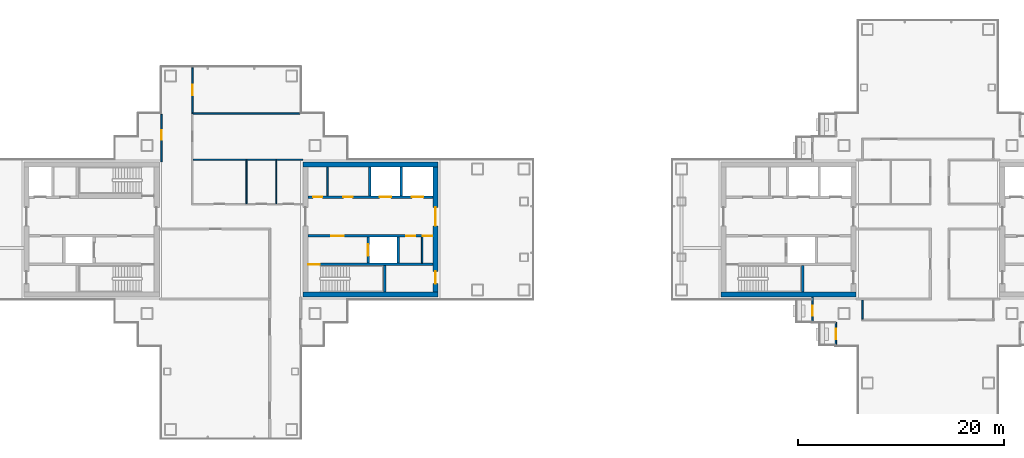
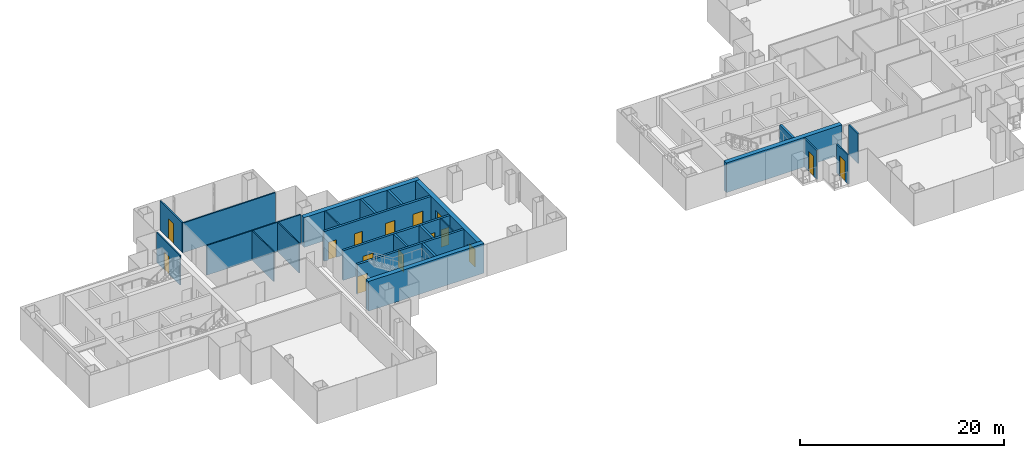
# One storey, part 10 of 16: 24 walls, 15 doors, 15 openings.
"""IFC4 building model written with IfcOpenShell, lengths in metres."""

from ifc_helpers import new_model, si_unit, direction, frame, frame_2d, origin, place, context, subcontext, project, spatial, rectangle, extrude, material, layer, layer_set, type_object, element, fill, save


model = new_model("IFC4")

# Units and contexts
model_context = context("Model", 3, precision=1e-05, world=origin(), true_north=direction((0.0, 1.0)))
body_context = subcontext(model_context, "Body", "Model", "MODEL_VIEW")
ifc_project = project(units=[si_unit("LENGTHUNIT", "METRE"), si_unit("AREAUNIT", "SQUARE_METRE"), si_unit("VOLUMEUNIT", "CUBIC_METRE"), si_unit("PLANEANGLEUNIT", "RADIAN"), si_unit("MASSUNIT", "GRAM", prefix="KILO")], contexts=[model_context])

# Site, building, storey
site_placement = place(None, origin())
site = spatial("IfcSite", under=ifc_project, at=site_placement, CompositionType="ELEMENT")
building_placement = place(site_placement, origin())
building = spatial("IfcBuilding", under=site, at=building_placement, Name="Shamsa Quay Exchange Towers", CompositionType="ELEMENT")
storey_placement = place(building_placement, frame((0.0, 0.0, 138.89990234375)))
storey = spatial("IfcBuildingStorey", under=building, at=storey_placement, Name="L32", CompositionType="ELEMENT", Elevation=138.89990234375)

# Wall, opening, door
ifc_material_1 = material(Name="Aluminium EN AW-6063 T6, black anodised, with black enamelled glass infill", Category="aluminium")
ifc_layer_1 = layer(ifc_material_1, 0.14990234375)
ifc_layer_set_1 = layer_set([ifc_layer_1], Name="BALCONY DOOR BAY WALL 150")
wall_type_1 = type_object("IfcWallType", Name="BALCONY DOOR BAY WALL 150", PredefinedType="SOLIDWALL", material=ifc_layer_set_1)
wall_1_placement = place(storey_placement, frame((22.574951171875, -9.0, 0.0), z_axis=(0.0, 0.0, 1.0), x_axis=(0.0, 1.0, 0.0)))
wall_1 = element("IfcWall", 1, at=wall_1_placement, inside=storey, type_object=wall_type_1, Name="Door bay T2-PKWN L32", PredefinedType="SOLIDWALL", context=body_context, shape_type="SweptSolid", body=[
    extrude(rectangle(XDim=2.45703125, YDim=0.14990234375, at=frame_2d((1.228515625, 0.0))), origin(), (0.0, 0.0, 1.0), 3.4501953125),
])
opening_1_placement = place(wall_1_placement, frame((0.625, 0.0, 0.0)))
opening_1 = element("IfcOpeningElement", 2, at=opening_1_placement, cuts=wall_1, Name="Opening XD205", PredefinedType="OPENING", context=body_context, shape_type="SweptSolid", body=[
    extrude(rectangle(XDim=1.0, YDim=2.39990234375, at=frame_2d((0.5, 1.199951171875))), frame((0.0, 0.0849609375, 0.0), z_axis=(0.0, -1.0, 0.0), x_axis=(1.0, 0.0, 0.0)), (0.0, 0.0, 1.0), 0.169921875),
])
ifc_material_2 = material(Name="Aluminium EN AW-6063 T6, black anodised, with laminated glass leaf", Category="aluminium")
door_type_1 = type_object("IfcDoorType", Name="BALCONY DOOR 1000x2400", OperationType="SINGLE_SWING_LEFT", PredefinedType="DOOR", material=ifc_material_2)
door_1_placement = place(opening_1_placement, origin())
door_1 = element("IfcDoor", 3, at=door_1_placement, inside=storey, type_object=door_type_1, Name="Balcony door T2-PKWN L32", OperationType="SINGLE_SWING_LEFT", OverallHeight=2.39990234375, OverallWidth=1.0, PredefinedType="DOOR", context=body_context, shape_type="SweptSolid", body=[
    extrude(rectangle(XDim=1.0, YDim=2.39990234375, at=frame_2d((0.5, 1.199951171875))), frame((0.0, 0.02490234375, 0.0), z_axis=(0.0, -1.0, 0.0), x_axis=(1.0, 0.0, 0.0)), (0.0, 0.0, 1.0), 0.050048828125),
])
fill(opening_1, door_1)

wall_2_placement = place(storey_placement, frame((24.824951171875, -11.25, 0.0), z_axis=(0.0, 0.0, 1.0), x_axis=(0.0, 1.0, 0.0)))
wall_2 = element("IfcWall", 4, at=wall_2_placement, inside=storey, type_object=wall_type_1, Name="Door bay T2-PKWN L32", PredefinedType="SOLIDWALL", context=body_context, shape_type="SweptSolid", body=[
    extrude(rectangle(XDim=2.25, YDim=0.14990234375, at=frame_2d((1.125, 0.0))), origin(), (0.0, 0.0, 1.0), 3.4501953125),
])
opening_2_placement = place(wall_2_placement, frame((0.625, 0.0, 0.0)))
opening_2 = element("IfcOpeningElement", 5, at=opening_2_placement, cuts=wall_2, Name="Opening XD206", PredefinedType="OPENING", context=body_context, shape_type="SweptSolid", body=[
    extrude(rectangle(XDim=1.0, YDim=2.39990234375, at=frame_2d((0.5, 1.199951171875))), frame((0.0, 0.0849609375, 0.0), z_axis=(0.0, -1.0, 0.0), x_axis=(1.0, 0.0, 0.0)), (0.0, 0.0, 1.0), 0.169921875),
])
door_2_placement = place(opening_2_placement, origin())
door_2 = element("IfcDoor", 6, at=door_2_placement, inside=storey, type_object=door_type_1, Name="Balcony door T2-PKWN L32", OperationType="SINGLE_SWING_RIGHT", OverallHeight=2.39990234375, OverallWidth=1.0, PredefinedType="DOOR", context=body_context, shape_type="SweptSolid", body=[
    extrude(rectangle(XDim=1.0, YDim=2.39990234375, at=frame_2d((0.5, 1.199951171875))), frame((0.0, 0.02490234375, 0.0), z_axis=(0.0, -1.0, 0.0), x_axis=(1.0, 0.0, 0.0)), (0.0, 0.0, 1.0), 0.050048828125),
])
fill(opening_2, door_2)

# Walls
ifc_material_3 = material(Name="Concrete C60/75", Category="concrete")
ifc_layer_2 = layer(ifc_material_3, 0.5)
ifc_layer_set_2 = layer_set([ifc_layer_2], Name="CORE WALL 500 C60/75")
wall_type_2 = type_object("IfcWallType", Name="CORE WALL 500 C60/75", PredefinedType="SHEAR", material=ifc_layer_set_2)
for number, where, name in (
    (7, (-26.800048828125, -6.300048828125, 0.0), "Core wall T1A-R14-PS"),
    (8, (-26.800048828125, 6.300048828125, 0.0), "Core wall T1A-R14-PN"),
):
    element("IfcWall", number, at=place(storey_placement, frame(where)), inside=storey, type_object=wall_type_2, Name=name, PredefinedType="SHEAR", context=body_context, shape_type="SweptSolid", body=[
        extrude(rectangle(XDim=13.10009765625, YDim=0.5, at=frame_2d((6.550048828125, 0.0))), origin(), (0.0, 0.0, 1.0), 3.550048828125),
    ])

# Wall, openings, doors
wall_3_placement = place(storey_placement, frame((-13.949951171875, 6.050048828125, 0.0), z_axis=(0.0, 0.0, 1.0), x_axis=(0.0, -1.0, 0.0)))
wall_3 = element("IfcWall", 9, at=wall_3_placement, inside=storey, type_object=wall_type_2, Name="Core wall T1A-R14-PB", PredefinedType="SHEAR", context=body_context, shape_type="SweptSolid", body=[
    extrude(rectangle(XDim=12.10009765625, YDim=0.5, at=frame_2d((6.050048828125, 0.0))), origin(), (0.0, 0.0, 1.0), 3.550048828125),
])
opening_3_placement = place(wall_3_placement, frame((10.10009765625, 0.0, 0.0)))
opening_3 = element("IfcOpeningElement", 10, at=opening_3_placement, cuts=wall_3, Name="Opening T1A-R14-RD02", PredefinedType="OPENING", context=body_context, shape_type="SweptSolid", body=[
    extrude(rectangle(XDim=1.199951171875, YDim=2.10009765625, at=frame_2d((0.60009765625, 1.050048828125))), frame((0.0, 0.260009765625, 0.0), z_axis=(0.0, -1.0, 0.0), x_axis=(1.0, 0.0, 0.0)), (0.0, 0.0, 1.0), 0.52001953125),
])
opening_4_placement = place(wall_3_placement, frame((3.89990234375, 0.0, 0.0)))
opening_4 = element("IfcOpeningElement", 11, at=opening_4_placement, cuts=wall_3, Name="Opening T1A-R14-LBD03", PredefinedType="OPENING", context=body_context, shape_type="SweptSolid", body=[
    extrude(rectangle(XDim=1.800048828125, YDim=2.39990234375, at=frame_2d((0.89990234375, 1.199951171875))), frame((0.0, 0.260009765625, 0.0), z_axis=(0.0, -1.0, 0.0), x_axis=(1.0, 0.0, 0.0)), (0.0, 0.0, 1.0), 0.52001953125),
])
ifc_material_4 = material(Name="Steel, fire rated", Category="steel")
door_type_2 = type_object("IfcDoorType", Name="LIFT LOBBY DOOR PAIR 1800", OperationType="DOUBLE_DOOR_SINGLE_SWING", PredefinedType="DOOR", material=ifc_material_4)
door_3_placement = place(opening_4_placement, origin())
door_3 = element("IfcDoor", 12, at=door_3_placement, inside=storey, type_object=door_type_2, Name="T1A-R14-LBD03", OperationType="DOUBLE_DOOR_SINGLE_SWING", OverallHeight=2.39990234375, OverallWidth=1.800048828125, PredefinedType="DOOR", context=body_context, shape_type="SweptSolid", body=[
    extrude(rectangle(XDim=1.800048828125, YDim=2.39990234375, at=frame_2d((0.89990234375, 1.199951171875))), frame((0.0, 0.02490234375, 0.0), z_axis=(0.0, -1.0, 0.0), x_axis=(1.0, 0.0, 0.0)), (0.0, 0.0, 1.0), 0.050048828125),
])
fill(opening_4, door_3)
door_type_3 = type_object("IfcDoorType", Name="RISER ACCESS DOOR 1200", OperationType="SINGLE_SWING_LEFT", PredefinedType="DOOR", material=ifc_material_4)
door_4_placement = place(opening_3_placement, origin())
door_4 = element("IfcDoor", 13, at=door_4_placement, inside=storey, type_object=door_type_3, Name="T1A-R14-RD02", OperationType="SINGLE_SWING_RIGHT", OverallHeight=2.10009765625, OverallWidth=1.199951171875, PredefinedType="DOOR", context=body_context, shape_type="SweptSolid", body=[
    extrude(rectangle(XDim=1.199951171875, YDim=2.10009765625, at=frame_2d((0.60009765625, 1.050048828125))), frame((0.0, 0.02490234375, 0.0), z_axis=(0.0, -1.0, 0.0), x_axis=(1.0, 0.0, 0.0)), (0.0, 0.0, 1.0), 0.050048828125),
])
fill(opening_3, door_4)

# Walls
wall_4_placement = place(storey_placement, frame((13.699951171875, -6.300048828125, 0.0)))
element("IfcWall", 14, at=wall_4_placement, inside=storey, type_object=wall_type_2, Name="Core wall T2A-R14-PS", PredefinedType="SHEAR", context=body_context, shape_type="SweptSolid", body=[
    extrude(rectangle(XDim=13.10009765625, YDim=0.5, at=frame_2d((6.550048828125, 0.0))), origin(), (0.0, 0.0, 1.0), 3.550048828125),
])
ifc_material_5 = material(Name="Gypsum board on steel studs, EI 60", Category="steel")
ifc_layer_3 = layer(ifc_material_5, 0.14990234375)
ifc_layer_set_3 = layer_set([ifc_layer_3], Name="FIRE PARTITION 150")
wall_type_3 = type_object("IfcWallType", Name="FIRE PARTITION 150", PredefinedType="PARTITIONING", material=ifc_layer_set_3)
wall_5_placement = place(storey_placement, frame((-15.25, -3.25, 0.0), z_axis=(0.0, 0.0, 1.0), x_axis=(0.0, 1.0, 0.0)))
element("IfcWall", 15, at=wall_5_placement, inside=storey, type_object=wall_type_3, Name="Partition T1A-R14-EC0", PredefinedType="PARTITIONING", context=body_context, shape_type="SweptSolid", body=[
    extrude(rectangle(XDim=2.5, YDim=0.14990234375, at=frame_2d((1.25, 0.0))), origin(), (0.0, 0.0, 1.0), 3.550048828125),
])
wall_6_placement = place(storey_placement, frame((-24.39990234375, 3.25, 0.0), z_axis=(0.0, 0.0, 1.0), x_axis=(0.0, 1.0, 0.0)))
element("IfcWall", 16, at=wall_6_placement, inside=storey, type_object=wall_type_3, Name="Partition T1A-R14-FC0", PredefinedType="PARTITIONING", context=body_context, shape_type="SweptSolid", body=[
    extrude(rectangle(XDim=2.800048828125, YDim=0.14990234375, at=frame_2d((1.39990234375, 0.0))), origin(), (0.0, 0.0, 1.0), 3.550048828125),
])
ifc_material_6 = material(Name="Laminated fire-resisting glass in a metal frame", Category="glass")
ifc_layer_4 = layer(ifc_material_6, 0.125)
ifc_layer_set_4 = layer_set([ifc_layer_4], Name="Glazed partition 125 mm EI 60")
wall_type_4 = type_object("IfcWallType", Name="Glazed partition 125 mm EI 60", PredefinedType="PARTITIONING", material=ifc_layer_set_4)
wall_7_placement = place(storey_placement, frame((-37.4375, 6.75, 0.0)))
element("IfcWall", 17, at=wall_7_placement, inside=storey, type_object=wall_type_4, Name="Partition T1-R14-W11", PredefinedType="PARTITIONING", context=body_context, shape_type="SweptSolid", body=[
    extrude(rectangle(XDim=10.637451171875, YDim=0.125, at=frame_2d((5.31884765625, 0.0))), origin(), (0.0, 0.0, 1.0), 3.550048828125),
])
wall_8_placement = place(storey_placement, frame((-32.25, 2.5126953125, 0.0), z_axis=(0.0, 0.0, 1.0), x_axis=(0.0, 1.0, 0.0)))
element("IfcWall", 18, at=wall_8_placement, inside=storey, type_object=wall_type_4, Name="Partition T1-R14-W12", PredefinedType="PARTITIONING", context=body_context, shape_type="SweptSolid", body=[
    extrude(rectangle(XDim=4.1748046875, YDim=0.125, at=frame_2d((2.08740234375, 0.0))), origin(), (0.0, 0.0, 1.0), 3.550048828125),
])
ifc_material_7 = material(Name="Gypsum board partition on metal studs")
ifc_layer_5 = layer(ifc_material_7, 0.10009765625)
ifc_layer_set_5 = layer_set([ifc_layer_5], Name="Partition 100 mm NOT RATED")
wall_type_5 = type_object("IfcWallType", Name="Partition 100 mm NOT RATED", PredefinedType="PARTITIONING", material=ifc_layer_set_5)
wall_9_placement = place(storey_placement, frame((-29.375, 2.500244140625, 0.0), z_axis=(0.0, 0.0, 1.0), x_axis=(0.0, 1.0, 0.0)))
element("IfcWall", 19, at=wall_9_placement, inside=storey, type_object=wall_type_5, Name="Partition T1-R14-W13", PredefinedType="PARTITIONING", context=body_context, shape_type="SweptSolid", body=[
    extrude(rectangle(XDim=4.187255859375, YDim=0.10009765625, at=frame_2d((2.09375, 0.0))), origin(), (0.0, 0.0, 1.0), 3.550048828125),
])

# Wall, opening, door
ifc_layer_6 = layer(ifc_material_7, 0.14990234375)
ifc_layer_set_6 = layer_set([ifc_layer_6], Name="Partition 150 mm EI 60")
wall_type_6 = type_object("IfcWallType", Name="Partition 150 mm EI 60", PredefinedType="PARTITIONING", material=ifc_layer_set_6)
wall_10_placement = place(storey_placement, frame((-37.5, 15.655029296875, 0.0), z_axis=(0.0, 0.0, 1.0), x_axis=(0.0, -1.0, 0.0)))
wall_10 = element("IfcWall", 20, at=wall_10_placement, inside=storey, type_object=wall_type_6, Name="Partition T1-R14-W02", PredefinedType="PARTITIONING", context=body_context, shape_type="SweptSolid", body=[
    extrude(rectangle(XDim=4.330078125, YDim=0.14990234375, at=frame_2d((2.1650390625, 0.0))), origin(), (0.0, 0.0, 1.0), 3.550048828125),
])
opening_5_placement = place(wall_10_placement, frame((1.655029296875, 0.0, 0.0)))
opening_5 = element("IfcOpeningElement", 21, at=opening_5_placement, cuts=wall_10, Name="Opening T1-R14-D04", PredefinedType="OPENING", context=body_context, shape_type="SweptSolid", body=[
    extrude(rectangle(XDim=1.0, YDim=2.39990234375, at=frame_2d((0.5, 1.199951171875))), frame((0.0, 0.0849609375, 0.0), z_axis=(0.0, -1.0, 0.0), x_axis=(1.0, 0.0, 0.0)), (0.0, 0.0, 1.0), 0.169921875),
])
ifc_material_8 = material(Name="Timber door leaf in a metal frame", Category="wood")
door_type_4 = type_object("IfcDoorType", Name="Door 1000x2400 FD30S", OperationType="NOTDEFINED", PredefinedType="DOOR", material=ifc_material_8)
door_5_placement = place(opening_5_placement, origin())
door_5 = element("IfcDoor", 22, at=door_5_placement, inside=storey, type_object=door_type_4, Name="Door T1-R14-D04", OperationType="SINGLE_SWING_RIGHT", OverallHeight=2.39990234375, OverallWidth=1.0, PredefinedType="DOOR", context=body_context, shape_type="SweptSolid", body=[
    extrude(rectangle(XDim=1.0, YDim=2.39990234375, at=frame_2d((0.5, 1.199951171875))), frame((0.0, 0.02490234375, 0.0), z_axis=(0.0, -1.0, 0.0), x_axis=(1.0, 0.0, 0.0)), (0.0, 0.0, 1.0), 0.050048828125),
])
fill(opening_5, door_5)

wall_11_placement = place(storey_placement, frame((-40.5, 6.550048828125, 0.0), z_axis=(0.0, 0.0, 1.0), x_axis=(0.0, 1.0, 0.0)))
wall_11 = element("IfcWall", 23, at=wall_11_placement, inside=storey, type_object=wall_type_6, Name="Partition T1-R14-W09", PredefinedType="PARTITIONING", context=body_context, shape_type="SweptSolid", body=[
    extrude(rectangle(XDim=4.60498046875, YDim=0.14990234375, at=frame_2d((2.302490234375, 0.0))), origin(), (0.0, 0.0, 1.0), 3.550048828125),
])
opening_6_placement = place(wall_11_placement, frame((2.14990234375, 0.0, 0.0)))
opening_6 = element("IfcOpeningElement", 24, at=opening_6_placement, cuts=wall_11, Name="Opening T1-R14-D01", PredefinedType="OPENING", context=body_context, shape_type="SweptSolid", body=[
    extrude(rectangle(XDim=0.89990234375, YDim=2.10009765625, at=frame_2d((0.449951171875, 1.050048828125))), frame((0.0, 0.0849609375, 0.0), z_axis=(0.0, -1.0, 0.0), x_axis=(1.0, 0.0, 0.0)), (0.0, 0.0, 1.0), 0.169921875),
])
door_type_5 = type_object("IfcDoorType", Name="Door 900x2100 FD30S", OperationType="NOTDEFINED", PredefinedType="DOOR", material=ifc_material_8)
door_6_placement = place(opening_6_placement, origin())
door_6 = element("IfcDoor", 25, at=door_6_placement, inside=storey, type_object=door_type_5, Name="Door T1-R14-D01", OperationType="SINGLE_SWING_RIGHT", OverallHeight=2.10009765625, OverallWidth=0.89990234375, PredefinedType="DOOR", context=body_context, shape_type="SweptSolid", body=[
    extrude(rectangle(XDim=0.89990234375, YDim=2.10009765625, at=frame_2d((0.449951171875, 1.050048828125))), frame((0.0, 0.02490234375, 0.0), z_axis=(0.0, -1.0, 0.0), x_axis=(1.0, 0.0, 0.0)), (0.0, 0.0, 1.0), 0.050048828125),
])
fill(opening_6, door_6)

# Walls
wall_12_placement = place(storey_placement, frame((-27.094970703125, 11.25, 0.0), z_axis=(0.0, 0.0, 1.0), x_axis=(-1.0, 0.0, 0.0)))
element("IfcWall", 26, at=wall_12_placement, inside=storey, type_object=wall_type_6, Name="Partition T1-R14-W10", PredefinedType="PARTITIONING", context=body_context, shape_type="SweptSolid", body=[
    extrude(rectangle(XDim=10.47998046875, YDim=0.14990234375, at=frame_2d((5.239990234375, 0.0))), origin(), (0.0, 0.0, 1.0), 3.550048828125),
])
wall_13_placement = place(storey_placement, frame((27.4248046875, -6.85009765625, 0.0), z_axis=(0.0, 0.0, 1.0), x_axis=(0.0, -1.0, 0.0)))
element("IfcWall", 27, at=wall_13_placement, inside=storey, type_object=wall_type_6, Name="Partition T2-R14-W17", PredefinedType="PARTITIONING", context=body_context, shape_type="SweptSolid", body=[
    extrude(rectangle(XDim=1.824951171875, YDim=0.14990234375, at=frame_2d((0.91259765625, 0.0))), origin(), (0.0, 0.0, 1.0), 3.550048828125),
])

# Wall, opening, door
ifc_material_9 = material(Name="Concrete C50/60", Category="concrete")
ifc_layer_7 = layer(ifc_material_9, 0.25)
ifc_layer_set_7 = layer_set([ifc_layer_7], Name="SHAFT WALL 250 C50/60")
wall_type_7 = type_object("IfcWallType", Name="SHAFT WALL 250 C50/60", PredefinedType="SHEAR", material=ifc_layer_set_7)
wall_14_placement = place(storey_placement, frame((-14.199951171875, -3.375, 0.0), z_axis=(0.0, 0.0, 1.0), x_axis=(-1.0, 0.0, 0.0)))
wall_14 = element("IfcWall", 28, at=wall_14_placement, inside=storey, type_object=wall_type_7, Name="Shaft wall T1A-R14-STL", PredefinedType="SHEAR", context=body_context, shape_type="SweptSolid", body=[
    extrude(rectangle(XDim=12.10009765625, YDim=0.25, at=frame_2d((6.050048828125, 0.0))), origin(), (0.0, 0.0, 1.0), 3.550048828125),
])
opening_7_placement = place(wall_14_placement, frame((10.949951171875, 0.0, 0.0)))
opening_7 = element("IfcOpeningElement", 29, at=opening_7_placement, cuts=wall_14, Name="Opening T1A-R14-SD04", PredefinedType="OPENING", context=body_context, shape_type="SweptSolid", body=[
    extrude(rectangle(XDim=1.10009765625, YDim=2.10009765625, at=frame_2d((0.550048828125, 1.050048828125))), frame((0.0, 0.135009765625, 0.0), z_axis=(0.0, -1.0, 0.0), x_axis=(1.0, 0.0, 0.0)), (0.0, 0.0, 1.0), 0.27001953125),
])
door_type_6 = type_object("IfcDoorType", Name="STAIR DOOR 1100", OperationType="SINGLE_SWING_LEFT", PredefinedType="DOOR", material=ifc_material_4)
door_7_placement = place(opening_7_placement, origin())
door_7 = element("IfcDoor", 30, at=door_7_placement, inside=storey, type_object=door_type_6, Name="T1A-R14-SD04", OperationType="SINGLE_SWING_RIGHT", OverallHeight=2.10009765625, OverallWidth=1.10009765625, PredefinedType="DOOR", context=body_context, shape_type="SweptSolid", body=[
    extrude(rectangle(XDim=1.10009765625, YDim=2.10009765625, at=frame_2d((0.550048828125, 1.050048828125))), frame((0.0, 0.02490234375, 0.0), z_axis=(0.0, -1.0, 0.0), x_axis=(1.0, 0.0, 0.0)), (0.0, 0.0, 1.0), 0.050048828125),
])
fill(opening_7, door_7)

# Wall
wall_15_placement = place(storey_placement, frame((-18.875, -6.050048828125, 0.0), z_axis=(0.0, 0.0, 1.0), x_axis=(0.0, 1.0, 0.0)))
element("IfcWall", 31, at=wall_15_placement, inside=storey, type_object=wall_type_7, Name="Shaft wall T1A-R14-STF", PredefinedType="SHEAR", context=body_context, shape_type="SweptSolid", body=[
    extrude(rectangle(XDim=2.550048828125, YDim=0.25, at=frame_2d((1.27490234375, 0.0))), origin(), (0.0, 0.0, 1.0), 3.550048828125),
])

# Wall, openings, doors
wall_16_placement = place(storey_placement, frame((-14.199951171875, -0.625, 0.0), z_axis=(0.0, 0.0, 1.0), x_axis=(-1.0, 0.0, 0.0)))
wall_16 = element("IfcWall", 32, at=wall_16_placement, inside=storey, type_object=wall_type_7, Name="Shaft wall T1A-R14-B", PredefinedType="SHEAR", context=body_context, shape_type="SweptSolid", body=[
    extrude(rectangle(XDim=12.10009765625, YDim=0.25, at=frame_2d((6.050048828125, 0.0))), origin(), (0.0, 0.0, 1.0), 3.550048828125),
])
opening_8_placement = place(wall_16_placement, frame((8.64990234375, 0.0, 0.0)))
opening_8 = element("IfcOpeningElement", 33, at=opening_8_placement, cuts=wall_16, Name="Opening T1A-R14-FD05", PredefinedType="OPENING", context=body_context, shape_type="SweptSolid", body=[
    extrude(rectangle(XDim=1.199951171875, YDim=2.10009765625, at=frame_2d((0.60009765625, 1.050048828125))), frame((0.0, 0.135009765625, 0.0), z_axis=(0.0, -1.0, 0.0), x_axis=(1.0, 0.0, 0.0)), (0.0, 0.0, 1.0), 0.27001953125),
])
opening_9_placement = place(wall_16_placement, frame((1.699951171875, 0.0, 0.0)))
opening_9 = element("IfcOpeningElement", 34, at=opening_9_placement, cuts=wall_16, Name="Opening T1A-R14-SV06", PredefinedType="OPENING", context=body_context, shape_type="SweptSolid", body=[
    extrude(rectangle(XDim=0.89990234375, YDim=2.10009765625, at=frame_2d((0.449951171875, 1.050048828125))), frame((0.0, 0.135009765625, 0.0), z_axis=(0.0, -1.0, 0.0), x_axis=(1.0, 0.0, 0.0)), (0.0, 0.0, 1.0), 0.27001953125),
])
opening_10_placement = place(wall_16_placement, frame((0.074951171875, 0.0, 0.0)))
opening_10 = element("IfcOpeningElement", 35, at=opening_10_placement, cuts=wall_16, Name="Opening T1A-R14-SV07", PredefinedType="OPENING", context=body_context, shape_type="SweptSolid", body=[
    extrude(rectangle(XDim=0.89990234375, YDim=2.10009765625, at=frame_2d((0.449951171875, 1.050048828125))), frame((0.0, 0.135009765625, 0.0), z_axis=(0.0, -1.0, 0.0), x_axis=(1.0, 0.0, 0.0)), (0.0, 0.0, 1.0), 0.27001953125),
])
door_type_7 = type_object("IfcDoorType", Name="FIRE SERVICE LOBBY DOOR 1200", OperationType="SINGLE_SWING_LEFT", PredefinedType="DOOR", material=ifc_material_4)
door_8_placement = place(opening_8_placement, origin())
door_8 = element("IfcDoor", 36, at=door_8_placement, inside=storey, type_object=door_type_7, Name="T1A-R14-FD05", OperationType="SINGLE_SWING_RIGHT", OverallHeight=2.10009765625, OverallWidth=1.199951171875, PredefinedType="DOOR", context=body_context, shape_type="SweptSolid", body=[
    extrude(rectangle(XDim=1.199951171875, YDim=2.10009765625, at=frame_2d((0.60009765625, 1.050048828125))), frame((0.0, 0.02490234375, 0.0), z_axis=(0.0, -1.0, 0.0), x_axis=(1.0, 0.0, 0.0)), (0.0, 0.0, 1.0), 0.050048828125),
])
fill(opening_8, door_8)
door_type_8 = type_object("IfcDoorType", Name="SERVICE ROOM DOOR 900", OperationType="SINGLE_SWING_LEFT", PredefinedType="DOOR", material=ifc_material_4)
door_9_placement = place(opening_9_placement, origin())
door_9 = element("IfcDoor", 37, at=door_9_placement, inside=storey, type_object=door_type_8, Name="T1A-R14-SV06", OperationType="SINGLE_SWING_LEFT", OverallHeight=2.10009765625, OverallWidth=0.89990234375, PredefinedType="DOOR", context=body_context, shape_type="SweptSolid", body=[
    extrude(rectangle(XDim=0.89990234375, YDim=2.10009765625, at=frame_2d((0.449951171875, 1.050048828125))), frame((0.0, 0.02490234375, 0.0), z_axis=(0.0, -1.0, 0.0), x_axis=(1.0, 0.0, 0.0)), (0.0, 0.0, 1.0), 0.050048828125),
])
fill(opening_9, door_9)
door_10_placement = place(opening_10_placement, origin())
door_10 = element("IfcDoor", 38, at=door_10_placement, inside=storey, type_object=door_type_8, Name="T1A-R14-SV07", OperationType="SINGLE_SWING_LEFT", OverallHeight=2.10009765625, OverallWidth=0.89990234375, PredefinedType="DOOR", context=body_context, shape_type="SweptSolid", body=[
    extrude(rectangle(XDim=0.89990234375, YDim=2.10009765625, at=frame_2d((0.449951171875, 1.050048828125))), frame((0.0, 0.02490234375, 0.0), z_axis=(0.0, -1.0, 0.0), x_axis=(1.0, 0.0, 0.0)), (0.0, 0.0, 1.0), 0.050048828125),
])
fill(opening_10, door_10)

# Wall, opening, door
wall_17_placement = place(storey_placement, frame((-20.47509765625, -3.25, 0.0), z_axis=(0.0, 0.0, 1.0), x_axis=(0.0, 1.0, 0.0)))
wall_17 = element("IfcWall", 39, at=wall_17_placement, inside=storey, type_object=wall_type_7, Name="Shaft wall T1A-R14-FFF", PredefinedType="SHEAR", context=body_context, shape_type="SweptSolid", body=[
    extrude(rectangle(XDim=2.5, YDim=0.25, at=frame_2d((1.25, 0.0))), origin(), (0.0, 0.0, 1.0), 3.550048828125),
])
opening_11_placement = place(wall_17_placement, frame((0.699951171875, 0.0, 0.0)))
opening_11 = element("IfcOpeningElement", 40, at=opening_11_placement, cuts=wall_17, Name="Opening T1A-R14-LDF08", PredefinedType="OPENING", context=body_context, shape_type="SweptSolid", body=[
    extrude(rectangle(XDim=1.10009765625, YDim=2.10009765625, at=frame_2d((0.550048828125, 1.050048828125))), frame((0.0, 0.135009765625, 0.0), z_axis=(0.0, -1.0, 0.0), x_axis=(1.0, 0.0, 0.0)), (0.0, 0.0, 1.0), 0.27001953125),
])
door_type_9 = type_object("IfcDoorType", Name="FIRE SERVICE LANDING DOOR 1100", OperationType="SLIDING_TO_LEFT", PredefinedType="DOOR", material=ifc_material_4)
door_11_placement = place(opening_11_placement, origin())
door_11 = element("IfcDoor", 41, at=door_11_placement, inside=storey, type_object=door_type_9, Name="T1A-R14-LDF08", OperationType="SLIDING_TO_LEFT", OverallHeight=2.10009765625, OverallWidth=1.10009765625, PredefinedType="DOOR", context=body_context, shape_type="SweptSolid", body=[
    extrude(rectangle(XDim=1.10009765625, YDim=2.10009765625, at=frame_2d((0.550048828125, 1.050048828125))), frame((0.0, 0.02490234375, 0.0), z_axis=(0.0, -1.0, 0.0), x_axis=(1.0, 0.0, 0.0)), (0.0, 0.0, 1.0), 0.050048828125),
])
fill(opening_11, door_11)

# Wall
wall_18_placement = place(storey_placement, frame((-17.574951171875, -3.25, 0.0), z_axis=(0.0, 0.0, 1.0), x_axis=(0.0, 1.0, 0.0)))
element("IfcWall", 42, at=wall_18_placement, inside=storey, type_object=wall_type_7, Name="Shaft wall T1A-R14-FFB", PredefinedType="SHEAR", context=body_context, shape_type="SweptSolid", body=[
    extrude(rectangle(XDim=2.5, YDim=0.25, at=frame_2d((1.25, 0.0))), origin(), (0.0, 0.0, 1.0), 3.550048828125),
])

# Wall, openings, doors
wall_19_placement = place(storey_placement, frame((-26.300048828125, 3.125, 0.0)))
wall_19 = element("IfcWall", 43, at=wall_19_placement, inside=storey, type_object=wall_type_7, Name="Shaft wall T1A-R14-N", PredefinedType="SHEAR", context=body_context, shape_type="SweptSolid", body=[
    extrude(rectangle(XDim=12.10009765625, YDim=0.25, at=frame_2d((6.050048828125, 0.0))), origin(), (0.0, 0.0, 1.0), 3.550048828125),
])
opening_12_placement = place(wall_19_placement, frame((6.949951171875, 0.0, 0.0)))
opening_12 = element("IfcOpeningElement", 44, at=opening_12_placement, cuts=wall_19, Name="Opening T1A-R14-LD09", PredefinedType="OPENING", context=body_context, shape_type="SweptSolid", body=[
    extrude(rectangle(XDim=1.10009765625, YDim=2.10009765625, at=frame_2d((0.550048828125, 1.050048828125))), frame((0.0, 0.135009765625, 0.0), z_axis=(0.0, -1.0, 0.0), x_axis=(1.0, 0.0, 0.0)), (0.0, 0.0, 1.0), 0.27001953125),
])
opening_13_placement = place(wall_19_placement, frame((10.074951171875, 0.0, 0.0)))
opening_13 = element("IfcOpeningElement", 45, at=opening_13_placement, cuts=wall_19, Name="Opening T1A-R14-LD10", PredefinedType="OPENING", context=body_context, shape_type="SweptSolid", body=[
    extrude(rectangle(XDim=1.10009765625, YDim=2.10009765625, at=frame_2d((0.550048828125, 1.050048828125))), frame((0.0, 0.135009765625, 0.0), z_axis=(0.0, -1.0, 0.0), x_axis=(1.0, 0.0, 0.0)), (0.0, 0.0, 1.0), 0.27001953125),
])
opening_14_placement = place(wall_19_placement, frame((0.5, 0.0, 0.0)))
opening_14 = element("IfcOpeningElement", 46, at=opening_14_placement, cuts=wall_19, Name="Opening T1A-R14-SV11", PredefinedType="OPENING", context=body_context, shape_type="SweptSolid", body=[
    extrude(rectangle(XDim=0.89990234375, YDim=2.10009765625, at=frame_2d((0.449951171875, 1.050048828125))), frame((0.0, 0.135009765625, 0.0), z_axis=(0.0, -1.0, 0.0), x_axis=(1.0, 0.0, 0.0)), (0.0, 0.0, 1.0), 0.27001953125),
])
opening_15_placement = place(wall_19_placement, frame((3.425048828125, 0.0, 0.0)))
opening_15 = element("IfcOpeningElement", 47, at=opening_15_placement, cuts=wall_19, Name="Opening T1A-R14-SV12", PredefinedType="OPENING", context=body_context, shape_type="SweptSolid", body=[
    extrude(rectangle(XDim=0.89990234375, YDim=2.10009765625, at=frame_2d((0.449951171875, 1.050048828125))), frame((0.0, 0.135009765625, 0.0), z_axis=(0.0, -1.0, 0.0), x_axis=(1.0, 0.0, 0.0)), (0.0, 0.0, 1.0), 0.27001953125),
])
door_type_10 = type_object("IfcDoorType", Name="LANDING DOOR 1100", OperationType="SLIDING_TO_LEFT", PredefinedType="DOOR", material=ifc_material_4)
door_12_placement = place(opening_12_placement, origin())
door_12 = element("IfcDoor", 48, at=door_12_placement, inside=storey, type_object=door_type_10, Name="T1A-R14-LD09", OperationType="SLIDING_TO_LEFT", OverallHeight=2.10009765625, OverallWidth=1.10009765625, PredefinedType="DOOR", context=body_context, shape_type="SweptSolid", body=[
    extrude(rectangle(XDim=1.10009765625, YDim=2.10009765625, at=frame_2d((0.550048828125, 1.050048828125))), frame((0.0, 0.02490234375, 0.0), z_axis=(0.0, -1.0, 0.0), x_axis=(1.0, 0.0, 0.0)), (0.0, 0.0, 1.0), 0.050048828125),
])
fill(opening_12, door_12)
door_13_placement = place(opening_13_placement, origin())
door_13 = element("IfcDoor", 49, at=door_13_placement, inside=storey, type_object=door_type_10, Name="T1A-R14-LD10", OperationType="SLIDING_TO_LEFT", OverallHeight=2.10009765625, OverallWidth=1.10009765625, PredefinedType="DOOR", context=body_context, shape_type="SweptSolid", body=[
    extrude(rectangle(XDim=1.10009765625, YDim=2.10009765625, at=frame_2d((0.550048828125, 1.050048828125))), frame((0.0, 0.02490234375, 0.0), z_axis=(0.0, -1.0, 0.0), x_axis=(1.0, 0.0, 0.0)), (0.0, 0.0, 1.0), 0.050048828125),
])
fill(opening_13, door_13)
door_14_placement = place(opening_14_placement, origin())
door_14 = element("IfcDoor", 50, at=door_14_placement, inside=storey, type_object=door_type_8, Name="T1A-R14-SV11", OperationType="SINGLE_SWING_LEFT", OverallHeight=2.10009765625, OverallWidth=0.89990234375, PredefinedType="DOOR", context=body_context, shape_type="SweptSolid", body=[
    extrude(rectangle(XDim=0.89990234375, YDim=2.10009765625, at=frame_2d((0.449951171875, 1.050048828125))), frame((0.0, 0.02490234375, 0.0), z_axis=(0.0, -1.0, 0.0), x_axis=(1.0, 0.0, 0.0)), (0.0, 0.0, 1.0), 0.050048828125),
])
fill(opening_14, door_14)
door_15_placement = place(opening_15_placement, origin())
door_15 = element("IfcDoor", 51, at=door_15_placement, inside=storey, type_object=door_type_8, Name="T1A-R14-SV12", OperationType="SINGLE_SWING_LEFT", OverallHeight=2.10009765625, OverallWidth=0.89990234375, PredefinedType="DOOR", context=body_context, shape_type="SweptSolid", body=[
    extrude(rectangle(XDim=0.89990234375, YDim=2.10009765625, at=frame_2d((0.449951171875, 1.050048828125))), frame((0.0, 0.02490234375, 0.0), z_axis=(0.0, -1.0, 0.0), x_axis=(1.0, 0.0, 0.0)), (0.0, 0.0, 1.0), 0.050048828125),
])
fill(opening_15, door_15)

# Walls
for number, where, z_axis, x_axis, name in (
    (52, (-20.324951171875, 3.25, 0.0), (0.0, 0.0, 1.0), (0.0, 1.0, 0.0), "Shaft wall T1A-R14-D1"),
    (53, (-17.27490234375, 3.25, 0.0), (0.0, 0.0, 1.0), (0.0, 1.0, 0.0), "Shaft wall T1A-R14-D2"),
):
    element("IfcWall", number, at=place(storey_placement, frame(where, z_axis=z_axis, x_axis=x_axis)), inside=storey, type_object=wall_type_7, Name=name, PredefinedType="SHEAR", context=body_context, shape_type="SweptSolid", body=[
        extrude(rectangle(XDim=2.800048828125, YDim=0.25, at=frame_2d((1.39990234375, 0.0))), origin(), (0.0, 0.0, 1.0), 3.550048828125),
    ])
wall_20_placement = place(storey_placement, frame((21.625, -6.050048828125, 0.0), z_axis=(0.0, 0.0, 1.0), x_axis=(0.0, 1.0, 0.0)))
element("IfcWall", 54, at=wall_20_placement, inside=storey, type_object=wall_type_7, Name="Shaft wall T2A-R14-STF", PredefinedType="SHEAR", context=body_context, shape_type="SweptSolid", body=[
    extrude(rectangle(XDim=2.550048828125, YDim=0.25, at=frame_2d((1.27490234375, 0.0))), origin(), (0.0, 0.0, 1.0), 3.550048828125),
])

save(model, "model.ifc")
